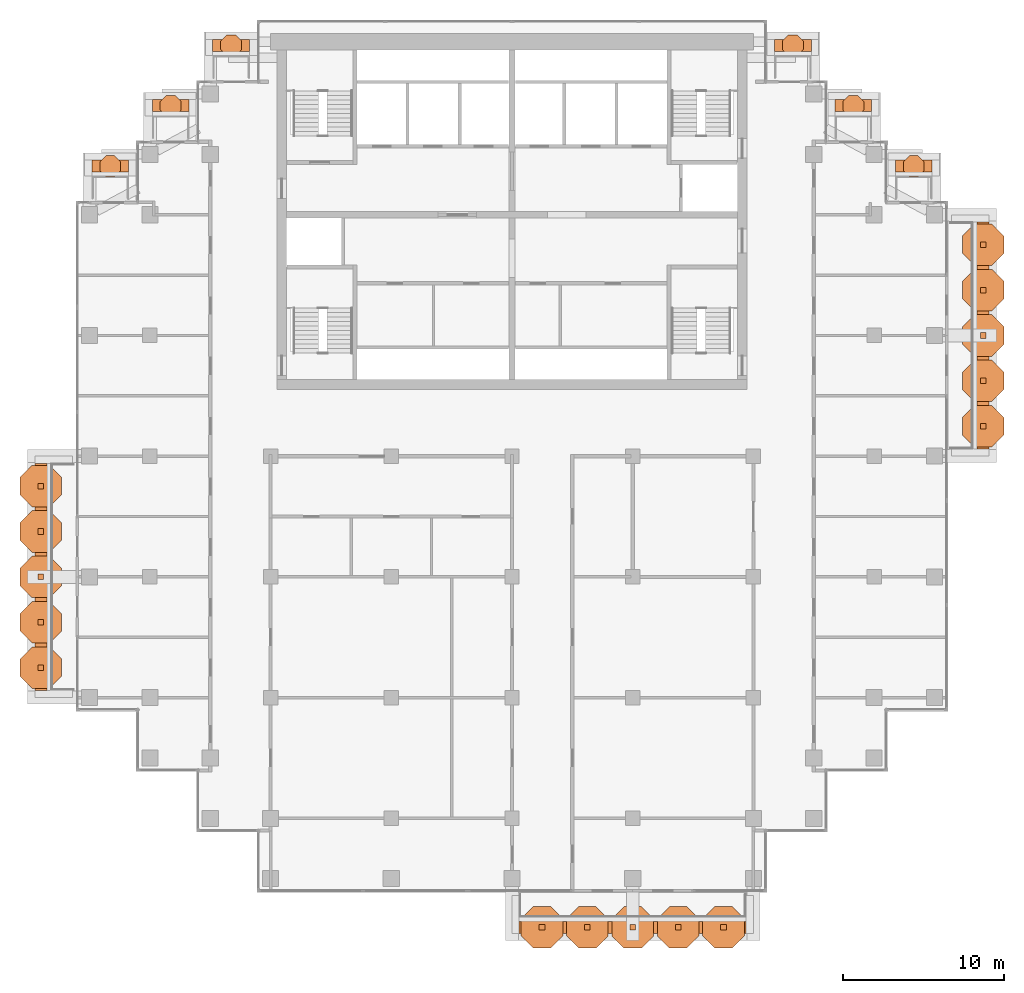
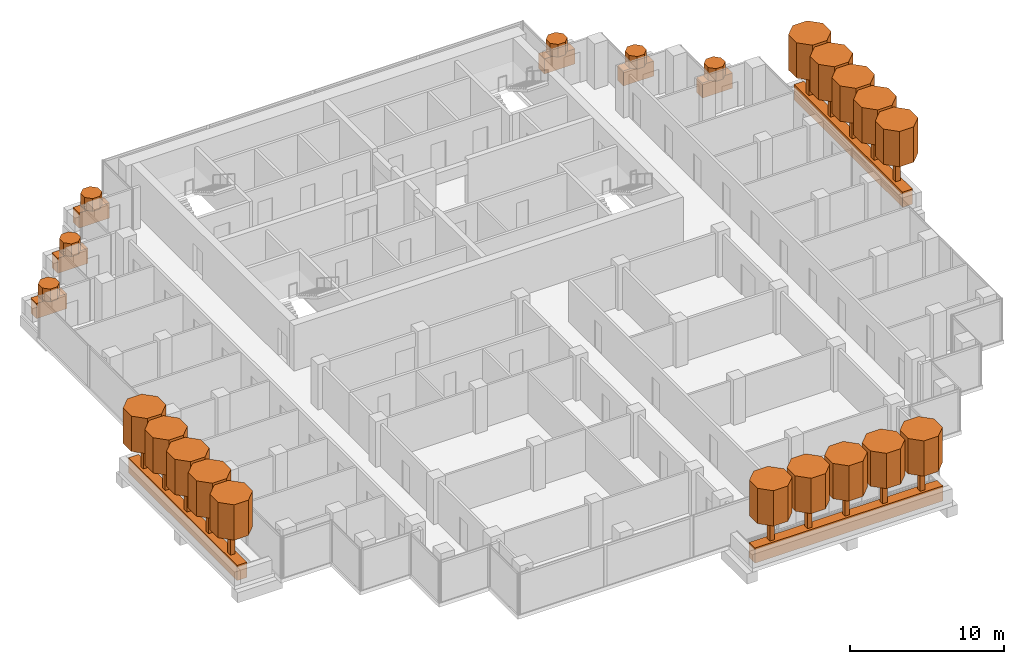
# One storey, part 19 of 19: 45 geographic elements.
"""IFC4 building model written with IfcOpenShell, lengths in metres."""

from ifc_helpers import new_model, si_unit, direction, frame, origin, origin_2d, place, context, subcontext, project, spatial, polyline, rectangle, outline, extrude, material, material_profile, profile_set, type_object, element, save


model = new_model("IFC4")

# Units and contexts
model_context = context("Model", 3, precision=1e-05, world=origin(), true_north=direction((0.0, 1.0)))
body_context = subcontext(model_context, "Body", "Model", "MODEL_VIEW")
ifc_project = project(units=[si_unit("LENGTHUNIT", "METRE"), si_unit("AREAUNIT", "SQUARE_METRE"), si_unit("VOLUMEUNIT", "CUBIC_METRE"), si_unit("PLANEANGLEUNIT", "RADIAN"), si_unit("MASSUNIT", "GRAM", prefix="KILO")], contexts=[model_context])

# Site, building, storey
site_placement = place(None, origin())
site = spatial("IfcSite", under=ifc_project, at=site_placement, CompositionType="ELEMENT")
building_placement = place(site_placement, origin())
building = spatial("IfcBuilding", under=site, at=building_placement, Name="Pilkhan Gate Tower", CompositionType="ELEMENT")
storey_placement = place(building_placement, frame((0.0, 0.0, 224.699951171875)))
storey = spatial("IfcBuildingStorey", under=building, at=storey_placement, Name="L58", CompositionType="ELEMENT", Elevation=224.699951171875)

# Geographic elements
ifc_material_1 = material(Name="Foliage")
ifc_material_profile_1 = material_profile(ifc_material_1, rectangle(XDim=0.75, YDim=1.199951171875, at=origin_2d()), Name="Bed 750x1200")
ifc_profile_set_1 = profile_set([ifc_material_profile_1], Name="Foliage")
geographic_element_type_1 = type_object("IfcGeographicElementType", Name="Planting bed PB1", PredefinedType="USERDEFINED", material=ifc_profile_set_1)
for number, where, z_axis, x_axis, name in (
    (1, (75.449951171875, 38.22509765625, 0.60009765625), (1.0, 0.0, 0.0), (0.0, 1.0, 0.0), "Balcony L58 S planting bed"),
    (2, (104.27490234375, 67.949951171875, 0.60009765625), (0.0, 1.0, 0.0), (-1.0, 0.0, 0.0), "Balcony L58 E planting bed"),
):
    element("IfcGeographicElement", number, at=place(storey_placement, frame(where, z_axis=z_axis, x_axis=x_axis)), inside=storey, type_object=geographic_element_type_1, Name=name, ObjectType="PLANTING BED", PredefinedType="USERDEFINED", context=body_context, shape_type="SweptSolid", body=[
        extrude(rectangle(XDim=0.75, YDim=1.199951171875, at=origin_2d()), origin(), (0.0, 0.0, 1.0), 14.10009765625),
    ])
for number, where, z_axis, x_axis, name in (
    (3, (56.39990234375, 93.02490234375, 0.60009765625), (1.0, 0.0, 0.0), (0.0, 1.0, 0.0), "Balcony L58 N planting bed"),
    (4, (91.300048828125, 93.02490234375, 0.60009765625), (1.0, 0.0, 0.0), (0.0, 1.0, 0.0), "Balcony L58 N planting bed"),
):
    element("IfcGeographicElement", number, at=place(storey_placement, frame(where, z_axis=z_axis, x_axis=x_axis)), inside=storey, type_object=geographic_element_type_1, Name=name, ObjectType="PLANTING BED", PredefinedType="USERDEFINED", context=body_context, shape_type="SweptSolid", body=[
        extrude(rectangle(XDim=0.75, YDim=1.199951171875, at=origin_2d()), origin(), (0.0, 0.0, 1.0), 2.300048828125),
    ])
for number, where, z_axis, x_axis, name in (
    (5, (52.64990234375, 89.27490234375, 0.60009765625), (1.0, 0.0, 0.0), (0.0, 1.0, 0.0), "Balcony L58 N planting bed"),
    (6, (48.89990234375, 85.52490234375, 0.60009765625), (1.0, 0.0, 0.0), (0.0, 1.0, 0.0), "Balcony L58 N planting bed"),
    (7, (95.070068359375, 89.27490234375, 0.60009765625), (1.0, 0.0, 0.0), (0.0, 1.0, 0.0), "Balcony L58 N planting bed"),
    (8, (98.820068359375, 85.52490234375, 0.60009765625), (1.0, 0.0, 0.0), (0.0, 1.0, 0.0), "Balcony L58 N planting bed"),
):
    element("IfcGeographicElement", number, at=place(storey_placement, frame(where, z_axis=z_axis, x_axis=x_axis)), inside=storey, type_object=geographic_element_type_1, Name=name, ObjectType="PLANTING BED", PredefinedType="USERDEFINED", context=body_context, shape_type="SweptSolid", body=[
        extrude(rectangle(XDim=0.75, YDim=1.199951171875, at=origin_2d()), origin(), (0.0, 0.0, 1.0), 2.280029296875),
    ])
geographic_element_placement = place(storey_placement, frame((45.72509765625, 52.949951171875, 0.60009765625), z_axis=(0.0, 1.0, 0.0), x_axis=(-1.0, 0.0, 0.0)))
element("IfcGeographicElement", 9, at=geographic_element_placement, inside=storey, type_object=geographic_element_type_1, Name="Balcony L58 W planting bed", ObjectType="PLANTING BED", PredefinedType="USERDEFINED", context=body_context, shape_type="SweptSolid", body=[
    extrude(rectangle(XDim=0.75, YDim=1.199951171875, at=origin_2d()), origin(), (0.0, 0.0, 1.0), 14.10009765625),
])
ifc_material_profile_2 = material_profile(ifc_material_1, outline(polyline([(0.646728515625, 0.267822265625), (0.267822265625, 0.646728515625), (-0.267822265625, 0.646728515625), (-0.646728515625, 0.267822265625), (-0.646728515625, -0.267822265625), (-0.267822265625, -0.646728515625), (0.267822265625, -0.646728515625), (0.646728515625, -0.267822265625), (0.646728515625, 0.267822265625)])), Name="Shrub D1.4")
ifc_profile_set_2 = profile_set([ifc_material_profile_2], Name="Foliage")
geographic_element_type_2 = type_object("IfcGeographicElementType", Name="Shrub SH07", PredefinedType="USERDEFINED", material=ifc_profile_set_2)
for number, where, z_axis, x_axis, name in (
    (10, (57.550048828125, 93.02490234375, 1.199951171875), (0.0, 0.0, 1.0), (1.0, 0.0, 0.0), "Shrub L58 N 1"),
    (11, (92.449951171875, 93.02490234375, 1.199951171875), (0.0, 0.0, 1.0), (1.0, 0.0, 0.0), "Shrub L58 N 1"),
    (12, (53.7900390625, 89.27490234375, 1.199951171875), (0.0, 0.0, 1.0), (1.0, 0.0, 0.0), "Shrub L58 N 1"),
    (13, (50.0400390625, 85.52490234375, 1.199951171875), (0.0, 0.0, 1.0), (1.0, 0.0, 0.0), "Shrub L58 N 1"),
    (14, (96.2099609375, 89.27490234375, 1.199951171875), (0.0, 0.0, 1.0), (1.0, 0.0, 0.0), "Shrub L58 N 1"),
    (15, (99.9599609375, 85.52490234375, 1.199951171875), (0.0, 0.0, 1.0), (1.0, 0.0, 0.0), "Shrub L58 N 1"),
):
    element("IfcGeographicElement", number, at=place(storey_placement, frame(where, z_axis=z_axis, x_axis=x_axis)), inside=storey, type_object=geographic_element_type_2, Name=name, ObjectType="SHRUB", PredefinedType="USERDEFINED", context=body_context, shape_type="SweptSolid", body=[
        extrude(outline(polyline([(0.646728515625, 0.267822265625), (0.267822265625, 0.646728515625), (-0.267822265625, 0.646728515625), (-0.646728515625, 0.267822265625), (-0.646728515625, -0.267822265625), (-0.267822265625, -0.646728515625), (0.267822265625, -0.646728515625), (0.646728515625, -0.267822265625), (0.646728515625, 0.267822265625)])), origin(), (0.0, 0.0, 1.0), 1.0),
    ])
ifc_material_profile_3 = material_profile(ifc_material_1, outline(polyline([(1.29345703125, 0.535888671875), (0.535888671875, 1.29345703125), (-0.535888671875, 1.29345703125), (-1.29345703125, 0.535888671875), (-1.29345703125, -0.535888671875), (-0.535888671875, -1.29345703125), (0.535888671875, -1.29345703125), (1.29345703125, -0.535888671875), (1.29345703125, 0.535888671875)])), Name="Canopy D2.8")
ifc_profile_set_3 = profile_set([ifc_material_profile_3], Name="Foliage")
geographic_element_type_3 = type_object("IfcGeographicElementType", Name="Tree canopy TC14", PredefinedType="USERDEFINED", material=ifc_profile_set_3)
for number, where, z_axis, x_axis, name in (
    (16, (76.860107421875, 38.22509765625, 3.199951171875), (0.0, 0.0, 1.0), (1.0, 0.0, 0.0), "Tree L58 S 1 canopy"),
    (17, (79.679931640625, 38.22509765625, 3.199951171875), (0.0, 0.0, 1.0), (1.0, 0.0, 0.0), "Tree L58 S 2 canopy"),
    (18, (82.5, 38.22509765625, 3.199951171875), (0.0, 0.0, 1.0), (1.0, 0.0, 0.0), "Tree L58 S 3 canopy"),
    (19, (85.320068359375, 38.22509765625, 3.199951171875), (0.0, 0.0, 1.0), (1.0, 0.0, 0.0), "Tree L58 S 4 canopy"),
    (20, (88.139892578125, 38.22509765625, 3.199951171875), (0.0, 0.0, 1.0), (1.0, 0.0, 0.0), "Tree L58 S 5 canopy"),
    (21, (104.27490234375, 69.360107421875, 3.199951171875), (0.0, 0.0, 1.0), (1.0, 0.0, 0.0), "Tree L58 E 1 canopy"),
    (22, (104.27490234375, 72.179931640625, 3.199951171875), (0.0, 0.0, 1.0), (1.0, 0.0, 0.0), "Tree L58 E 2 canopy"),
    (23, (104.27490234375, 75.0, 3.199951171875), (0.0, 0.0, 1.0), (1.0, 0.0, 0.0), "Tree L58 E 3 canopy"),
    (24, (104.27490234375, 77.820068359375, 3.199951171875), (0.0, 0.0, 1.0), (1.0, 0.0, 0.0), "Tree L58 E 4 canopy"),
    (25, (104.27490234375, 80.639892578125, 3.199951171875), (0.0, 0.0, 1.0), (1.0, 0.0, 0.0), "Tree L58 E 5 canopy"),
    (26, (45.72509765625, 54.360107421875, 3.199951171875), (0.0, 0.0, 1.0), (1.0, 0.0, 0.0), "Tree L58 W 1 canopy"),
    (27, (45.72509765625, 57.179931640625, 3.199951171875), (0.0, 0.0, 1.0), (1.0, 0.0, 0.0), "Tree L58 W 2 canopy"),
    (28, (45.72509765625, 60.0, 3.199951171875), (0.0, 0.0, 1.0), (1.0, 0.0, 0.0), "Tree L58 W 3 canopy"),
    (29, (45.72509765625, 62.820068359375, 3.199951171875), (0.0, 0.0, 1.0), (1.0, 0.0, 0.0), "Tree L58 W 4 canopy"),
    (30, (45.72509765625, 65.639892578125, 3.199951171875), (0.0, 0.0, 1.0), (1.0, 0.0, 0.0), "Tree L58 W 5 canopy"),
):
    element("IfcGeographicElement", number, at=place(storey_placement, frame(where, z_axis=z_axis, x_axis=x_axis)), inside=storey, type_object=geographic_element_type_3, Name=name, ObjectType="TREE", PredefinedType="USERDEFINED", context=body_context, shape_type="SweptSolid", body=[
        extrude(outline(polyline([(1.29345703125, 0.535888671875), (0.535888671875, 1.29345703125), (-0.535888671875, 1.29345703125), (-1.29345703125, 0.535888671875), (-1.29345703125, -0.535888671875), (-0.535888671875, -1.29345703125), (0.535888671875, -1.29345703125), (1.29345703125, -0.535888671875), (1.29345703125, 0.535888671875)])), origin(), (0.0, 0.0, 1.0), 2.800048828125),
    ])
ifc_material_2 = material(Name="Timber trunk", Category="wood")
geographic_element_type_4 = type_object("IfcGeographicElementType", Name="Tree trunk TT1", PredefinedType="USERDEFINED", material=ifc_material_2)
for number, where, z_axis, x_axis, name in (
    (31, (76.860107421875, 38.22509765625, 1.199951171875), (0.0, 0.0, 1.0), (1.0, 0.0, 0.0), "Tree L58 S 1 trunk"),
    (32, (79.679931640625, 38.22509765625, 1.199951171875), (0.0, 0.0, 1.0), (1.0, 0.0, 0.0), "Tree L58 S 2 trunk"),
    (33, (82.5, 38.22509765625, 1.199951171875), (0.0, 0.0, 1.0), (1.0, 0.0, 0.0), "Tree L58 S 3 trunk"),
    (34, (85.320068359375, 38.22509765625, 1.199951171875), (0.0, 0.0, 1.0), (1.0, 0.0, 0.0), "Tree L58 S 4 trunk"),
    (35, (88.139892578125, 38.22509765625, 1.199951171875), (0.0, 0.0, 1.0), (1.0, 0.0, 0.0), "Tree L58 S 5 trunk"),
    (36, (104.27490234375, 69.360107421875, 1.199951171875), (0.0, 0.0, 1.0), (1.0, 0.0, 0.0), "Tree L58 E 1 trunk"),
    (37, (104.27490234375, 72.179931640625, 1.199951171875), (0.0, 0.0, 1.0), (1.0, 0.0, 0.0), "Tree L58 E 2 trunk"),
    (38, (104.27490234375, 75.0, 1.199951171875), (0.0, 0.0, 1.0), (1.0, 0.0, 0.0), "Tree L58 E 3 trunk"),
    (39, (104.27490234375, 77.820068359375, 1.199951171875), (0.0, 0.0, 1.0), (1.0, 0.0, 0.0), "Tree L58 E 4 trunk"),
    (40, (104.27490234375, 80.639892578125, 1.199951171875), (0.0, 0.0, 1.0), (1.0, 0.0, 0.0), "Tree L58 E 5 trunk"),
    (41, (45.72509765625, 54.360107421875, 1.199951171875), (0.0, 0.0, 1.0), (1.0, 0.0, 0.0), "Tree L58 W 1 trunk"),
    (42, (45.72509765625, 57.179931640625, 1.199951171875), (0.0, 0.0, 1.0), (1.0, 0.0, 0.0), "Tree L58 W 2 trunk"),
    (43, (45.72509765625, 60.0, 1.199951171875), (0.0, 0.0, 1.0), (1.0, 0.0, 0.0), "Tree L58 W 3 trunk"),
    (44, (45.72509765625, 62.820068359375, 1.199951171875), (0.0, 0.0, 1.0), (1.0, 0.0, 0.0), "Tree L58 W 4 trunk"),
    (45, (45.72509765625, 65.639892578125, 1.199951171875), (0.0, 0.0, 1.0), (1.0, 0.0, 0.0), "Tree L58 W 5 trunk"),
):
    element("IfcGeographicElement", number, at=place(storey_placement, frame(where, z_axis=z_axis, x_axis=x_axis)), inside=storey, type_object=geographic_element_type_4, Name=name, ObjectType="TREE", PredefinedType="USERDEFINED", context=body_context, shape_type="SweptSolid", body=[
        extrude(rectangle(XDim=0.35009765625, YDim=0.35009765625, at=origin_2d()), origin(), (0.0, 0.0, 1.0), 2.0),
    ])

save(model, "model.ifc")
